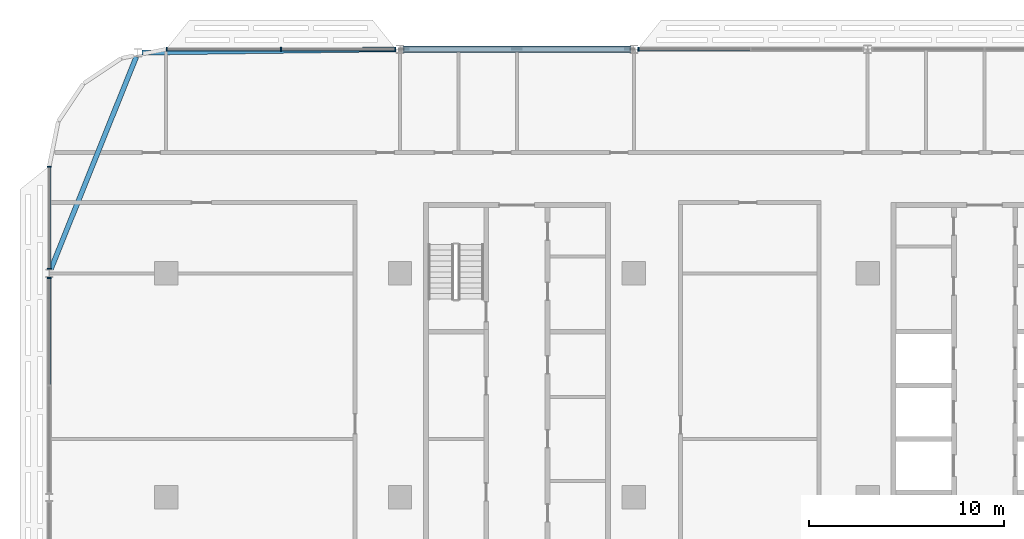
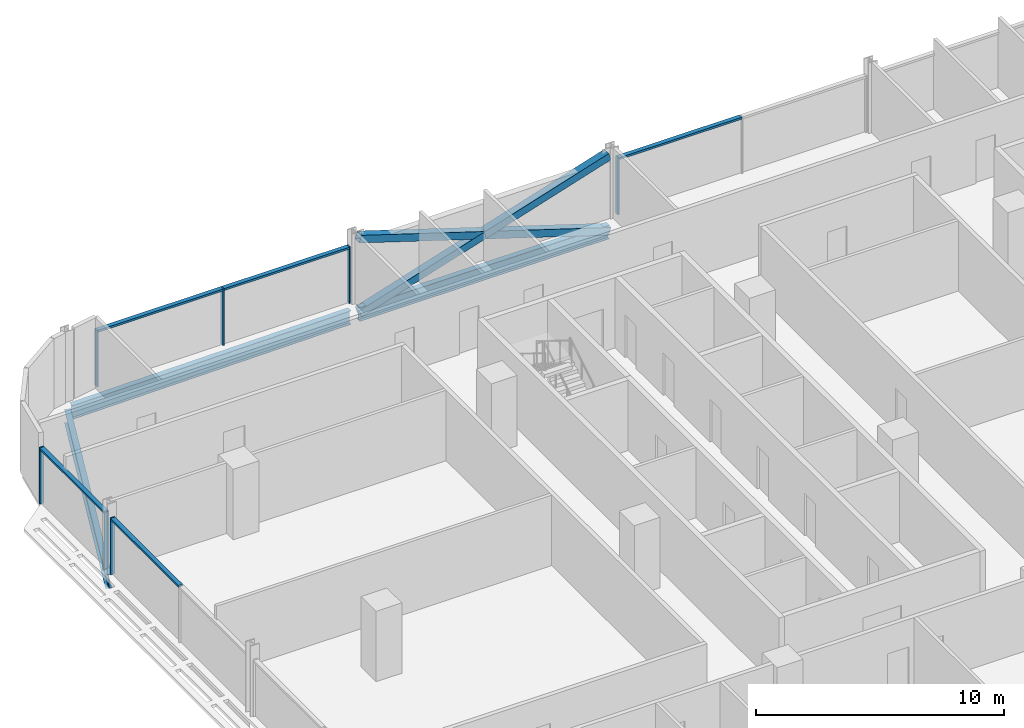
# One storey, part 6 of 27: 15 members, 3 beams, 4 elements without a shape of their own.
"""IFC4 building model written with IfcOpenShell, lengths in metres."""

from ifc_helpers import new_model, si_unit, direction, frame, origin, origin_2d, place, context, subcontext, project, spatial, rectangle, hollow_rectangle, i_section, extrude, material, material_profile, profile_set, type_object, element, aggregate, save


model = new_model("IFC4")

# Units and contexts
model_context = context("Model", 3, precision=1e-05, world=origin(), true_north=direction((0.0, 1.0)))
body_context = subcontext(model_context, "Body", "Model", "MODEL_VIEW")
ifc_project = project(units=[si_unit("LENGTHUNIT", "METRE"), si_unit("AREAUNIT", "SQUARE_METRE"), si_unit("VOLUMEUNIT", "CUBIC_METRE"), si_unit("PLANEANGLEUNIT", "RADIAN"), si_unit("MASSUNIT", "GRAM", prefix="KILO")], contexts=[model_context])

# Site, building, storey
site_placement = place(None, origin())
site = spatial("IfcSite", under=ifc_project, at=site_placement, CompositionType="ELEMENT")
building_placement = place(site_placement, origin())
building = spatial("IfcBuilding", under=site, at=building_placement, Name="Mahtab Terrace Research Tower", CompositionType="ELEMENT")
storey_placement = place(building_placement, frame((0.0, 0.0, 163.0)))
storey = spatial("IfcBuildingStorey", under=building, at=storey_placement, Name="L38", CompositionType="ELEMENT", Elevation=163.0)

# Members
ifc_material_1 = material(Name="Steel ASTM A500 Gr C", Category="steel")
ifc_material_profile_1 = material_profile(ifc_material_1, hollow_rectangle(XDim=0.355712890625, YDim=0.355712890625, WallThickness=0.015869140625, at=origin_2d()), Name="HSS14X14X5/8")
ifc_profile_set_1 = profile_set([ifc_material_profile_1], Name="Steel ASTM A500 Gr C")
member_type_1 = type_object("IfcMemberType", Name="HSS 14x14x5/8 brace XB141458", PredefinedType="BRACE", material=ifc_profile_set_1)
member_1_placement = place(storey_placement, frame((-18.203125, 23.0, -0.61474609375), z_axis=(-0.953341454971, 0.0, 0.301894137463), x_axis=(0.0, -1.0, 0.0)))
element("IfcMember", 1, at=member_1_placement, inside=storey, type_object=member_type_1, Name="Exoskeleton brace L38 06 a", PredefinedType="BRACE", context=body_context, shape_type="SweptSolid", body=[
    extrude(hollow_rectangle(XDim=0.355712890625, YDim=0.355712890625, WallThickness=0.015869140625, at=origin_2d()), origin(), (0.0, 0.0, 1.0), 12.1611328125),
])
for number, where, z_axis, x_axis, name in (
    (2, (-29.796875, 23.0, -0.61474609375), (0.953341454971, 0.0, 0.301894137463), (0.0, 1.0, 0.0), "Exoskeleton brace L38 06 b1"),
    (3, (-24.0, 23.0, 1.220947265625), (0.953341454971, 0.0, 0.301894137463), (0.0, 1.0, 0.0), "Exoskeleton brace L38 06 b2"),
):
    element("IfcMember", number, at=place(storey_placement, frame(where, z_axis=z_axis, x_axis=x_axis)), inside=storey, type_object=member_type_1, Name=name, PredefinedType="BRACE", context=body_context, shape_type="SweptSolid", body=[
        extrude(hollow_rectangle(XDim=0.355712890625, YDim=0.355712890625, WallThickness=0.015869140625, at=origin_2d()), origin(), (0.0, 0.0, 1.0), 6.08056640625),
    ])

# Curtain wall, member
ifc_material_2 = material(Name="Laboratory ribbon curtain wall")
curtain_wall_type = type_object("IfcCurtainWallType", Name="Laboratory ribbon curtain wall", PredefinedType="NOTDEFINED", material=ifc_material_2)
curtain_wall_1_placement = place(storey_placement, origin())
curtain_wall_1 = element("IfcCurtainWall", 4, at=curtain_wall_1_placement, inside=storey, type_object=curtain_wall_type, Name="EN.L38.3.7", PredefinedType="NOTDEFINED")
ifc_material_3 = material(Name="Natural anodised aluminium", Category="aluminium")
ifc_material_profile_2 = material_profile(ifc_material_3, rectangle(XDim=0.199951171875, YDim=0.06494140625, at=origin_2d()), Name="MULLION 65x200")
ifc_profile_set_2 = profile_set([ifc_material_profile_2], Name="Natural anodised aluminium")
member_type_2 = type_object("IfcMemberType", Name="Laboratory ribbon curtain wall mullion", PredefinedType="MULLION", material=ifc_profile_set_2)
member_2_placement = place(storey_placement, frame((-17.759521484375, 23.0, 0.0), z_axis=(0.0, 0.0, 1.0), x_axis=(0.0, -1.0, 0.0)))
member_2 = element("IfcMember", 5, at=member_2_placement, type_object=member_type_2, Name="CWL-5 mullion 3", PredefinedType="MULLION", context=body_context, shape_type="SweptSolid", body=[
    extrude(rectangle(XDim=0.199951171875, YDim=0.06494140625, at=origin_2d()), origin(), (0.0, 0.0, 1.0), 2.78173828125),
])

# Curtain wall, members
curtain_wall_2_placement = place(storey_placement, origin())
curtain_wall_2 = element("IfcCurtainWall", 6, at=curtain_wall_2_placement, inside=storey, type_object=curtain_wall_type, Name="EN.L38.3.9", PredefinedType="NOTDEFINED")
member_3_placement = place(storey_placement, frame((-30.240478515625, 23.0, 0.0), z_axis=(0.0, 0.0, 1.0), x_axis=(0.0, -1.0, 0.0)))
member_3 = element("IfcMember", 7, at=member_3_placement, type_object=member_type_2, Name="CWL-5 mullion 1", PredefinedType="MULLION", context=body_context, shape_type="SweptSolid", body=[
    extrude(rectangle(XDim=0.199951171875, YDim=0.06494140625, at=origin_2d()), origin(), (0.0, 0.0, 1.0), 2.78173828125),
])
member_4_placement = place(storey_placement, frame((-36.10400390625, 23.0, 0.0), z_axis=(0.0, 0.0, 1.0), x_axis=(0.0, -1.0, 0.0)))
member_4 = element("IfcMember", 8, at=member_4_placement, type_object=member_type_2, Name="CWL-5 mullion 2", PredefinedType="MULLION", context=body_context, shape_type="SweptSolid", body=[
    extrude(rectangle(XDim=0.199951171875, YDim=0.06494140625, at=origin_2d()), origin(), (0.0, 0.0, 1.0), 2.78173828125),
])
member_5_placement = place(storey_placement, frame((-41.967529296875, 23.0, 0.0), z_axis=(0.0, 0.0, 1.0), x_axis=(0.0, -1.0, 0.0)))
member_5 = element("IfcMember", 9, at=member_5_placement, type_object=member_type_2, Name="CWL-5 mullion 3", PredefinedType="MULLION", context=body_context, shape_type="SweptSolid", body=[
    extrude(rectangle(XDim=0.199951171875, YDim=0.06494140625, at=origin_2d()), origin(), (0.0, 0.0, 1.0), 2.78173828125),
])

curtain_wall_3_placement = place(storey_placement, origin())
curtain_wall_3 = element("IfcCurtainWall", 10, at=curtain_wall_3_placement, inside=storey, type_object=curtain_wall_type, Name="EN.L38.8.15", PredefinedType="NOTDEFINED")
member_6_placement = place(storey_placement, frame((-48.0, 16.967529296875, 0.0), z_axis=(0.0, 0.0, 1.0), x_axis=(1.0, 0.0, 0.0)))
member_6 = element("IfcMember", 11, at=member_6_placement, type_object=member_type_2, Name="CWL-5 mullion 1", PredefinedType="MULLION", context=body_context, shape_type="SweptSolid", body=[
    extrude(rectangle(XDim=0.199951171875, YDim=0.06494140625, at=origin_2d()), origin(), (0.0, 0.0, 1.0), 2.78173828125),
])
member_7_placement = place(storey_placement, frame((-48.0, 11.740478515625, 0.0), z_axis=(0.0, 0.0, 1.0), x_axis=(1.0, 0.0, 0.0)))
member_7 = element("IfcMember", 12, at=member_7_placement, type_object=member_type_2, Name="CWL-5 mullion 2", PredefinedType="MULLION", context=body_context, shape_type="SweptSolid", body=[
    extrude(rectangle(XDim=0.199951171875, YDim=0.06494140625, at=origin_2d()), origin(), (0.0, 0.0, 1.0), 2.78173828125),
])

# Curtain wall, member
curtain_wall_4_placement = place(storey_placement, origin())
curtain_wall_4 = element("IfcCurtainWall", 13, at=curtain_wall_4_placement, inside=storey, type_object=curtain_wall_type, Name="EN.L38.8.16", PredefinedType="NOTDEFINED")
member_8_placement = place(storey_placement, frame((-48.0, 11.259521484375, 0.0), z_axis=(0.0, 0.0, 1.0), x_axis=(1.0, 0.0, 0.0)))
member_8 = element("IfcMember", 14, at=member_8_placement, type_object=member_type_2, Name="CWL-5 mullion 1", PredefinedType="MULLION", context=body_context, shape_type="SweptSolid", body=[
    extrude(rectangle(XDim=0.199951171875, YDim=0.06494140625, at=origin_2d()), origin(), (0.0, 0.0, 1.0), 2.78173828125),
])

# Member
ifc_material_profile_3 = material_profile(ifc_material_3, rectangle(XDim=0.199951171875, YDim=0.10009765625, at=origin_2d()), Name="TRANSOM 100x200")
ifc_profile_set_3 = profile_set([ifc_material_profile_3], Name="Natural anodised aluminium")
member_type_3 = type_object("IfcMemberType", Name="Laboratory ribbon curtain wall transom", PredefinedType="USERDEFINED", material=ifc_profile_set_3)
member_9_placement = place(storey_placement, frame((-12.032470703125, 23.0, 2.731689453125), z_axis=(-1.0, 0.0, 0.0), x_axis=(0.0, -1.0, 0.0)))
member_9 = element("IfcMember", 15, at=member_9_placement, type_object=member_type_3, Name="CWL-5 transom 2", ObjectType="TRANSOM", PredefinedType="USERDEFINED", context=body_context, shape_type="SweptSolid", body=[
    extrude(rectangle(XDim=0.199951171875, YDim=0.10009765625, at=origin_2d()), origin(), (0.0, 0.0, 1.0), 5.694580078125),
])

aggregate(curtain_wall_1, [member_2, member_9])

member_10_placement = place(storey_placement, frame((-30.27294921875, 23.0, 2.731689453125), z_axis=(-1.0, 0.0, 0.0), x_axis=(0.0, -1.0, 0.0)))
member_10 = element("IfcMember", 16, at=member_10_placement, type_object=member_type_3, Name="CWL-5 transom 1", ObjectType="TRANSOM", PredefinedType="USERDEFINED", context=body_context, shape_type="SweptSolid", body=[
    extrude(rectangle(XDim=0.199951171875, YDim=0.10009765625, at=origin_2d()), origin(), (0.0, 0.0, 1.0), 5.798583984375),
])

member_11_placement = place(storey_placement, frame((-36.136474609375, 23.0, 2.731689453125), z_axis=(-1.0, 0.0, 0.0), x_axis=(0.0, -1.0, 0.0)))
member_11 = element("IfcMember", 17, at=member_11_placement, type_object=member_type_3, Name="CWL-5 transom 2", ObjectType="TRANSOM", PredefinedType="USERDEFINED", context=body_context, shape_type="SweptSolid", body=[
    extrude(rectangle(XDim=0.199951171875, YDim=0.10009765625, at=origin_2d()), origin(), (0.0, 0.0, 1.0), 5.798583984375),
])

aggregate(curtain_wall_2, [member_3, member_4, member_5, member_10, member_11])

member_12_placement = place(storey_placement, frame((-48.0, 16.93505859375, 2.731689453125), z_axis=(0.0, -1.0, 0.0), x_axis=(1.0, 0.0, 0.0)))
member_12 = element("IfcMember", 18, at=member_12_placement, type_object=member_type_3, Name="CWL-5 transom 1", ObjectType="TRANSOM", PredefinedType="USERDEFINED", context=body_context, shape_type="SweptSolid", body=[
    extrude(rectangle(XDim=0.199951171875, YDim=0.10009765625, at=origin_2d()), origin(), (0.0, 0.0, 1.0), 5.162109375),
])

aggregate(curtain_wall_3, [member_6, member_7, member_12])

member_13_placement = place(storey_placement, frame((-48.0, 11.22705078125, 2.731689453125), z_axis=(0.0, -1.0, 0.0), x_axis=(1.0, 0.0, 0.0)))
member_13 = element("IfcMember", 19, at=member_13_placement, type_object=member_type_3, Name="CWL-5 transom 1", ObjectType="TRANSOM", PredefinedType="USERDEFINED", context=body_context, shape_type="SweptSolid", body=[
    extrude(rectangle(XDim=0.199951171875, YDim=0.10009765625, at=origin_2d()), origin(), (0.0, 0.0, 1.0), 5.444580078125),
])

aggregate(curtain_wall_4, [member_8, member_13])

# Beams
ifc_material_4 = material(Name="Steel ASTM A992 Gr 50", Category="steel")
ifc_material_profile_4 = material_profile(ifc_material_4, i_section(OverallWidth=0.25390625, OverallDepth=0.67822265625, WebThickness=0.01171875, FlangeThickness=0.016357421875, at=origin_2d()), Name="W27X84")
ifc_profile_set_4 = profile_set([ifc_material_profile_4], Name="Steel ASTM A992 Gr 50")
beam_type = type_object("IfcBeamType", Name="W27x84 beam BS2784", PredefinedType="BEAM", material=ifc_profile_set_4)
beam_1_placement = place(storey_placement, frame((-18.203125, 23.0, -0.67919921875), z_axis=(-1.0, 0.0, 0.0), x_axis=(0.0, -1.0, 0.0)))
element("IfcBeam", 20, at=beam_1_placement, inside=storey, type_object=beam_type, Name="Spandrel beam L38 06", PredefinedType="BEAM", context=body_context, shape_type="SweptSolid", body=[
    extrude(i_section(OverallWidth=0.25390625, OverallDepth=0.67822265625, WebThickness=0.01171875, FlangeThickness=0.016357421875, at=origin_2d()), origin(), (0.0, 0.0, 1.0), 11.59375),
])
beam_2_placement = place(storey_placement, frame((-30.203125, 22.997314453125, -0.67919921875), z_axis=(-0.999912429007, -0.013233832294, 0.0), x_axis=(0.013233832294, -0.999912429007, 0.0)))
element("IfcBeam", 21, at=beam_2_placement, inside=storey, type_object=beam_type, Name="Spandrel beam L38 07", PredefinedType="BEAM", context=body_context, shape_type="SweptSolid", body=[
    extrude(i_section(OverallWidth=0.25390625, OverallDepth=0.67822265625, WebThickness=0.01171875, FlangeThickness=0.016357421875, at=origin_2d()), origin(), (0.0, 0.0, 1.0), 13.04296875),
])
beam_3_placement = place(storey_placement, frame((-43.53173828125, 22.61376953125, -0.67919921875), z_axis=(-0.373026712357, -0.927820603278, 0.0), x_axis=(0.927820603278, -0.373026712357, 0.0)))
element("IfcBeam", 22, at=beam_3_placement, inside=storey, type_object=beam_type, Name="Spandrel beam L38 08", PredefinedType="BEAM", context=body_context, shape_type="SweptSolid", body=[
    extrude(i_section(OverallWidth=0.25390625, OverallDepth=0.67822265625, WebThickness=0.01171875, FlangeThickness=0.016357421875, at=origin_2d()), origin(), (0.0, 0.0, 1.0), 11.75390625),
])

save(model, "model.ifc")
